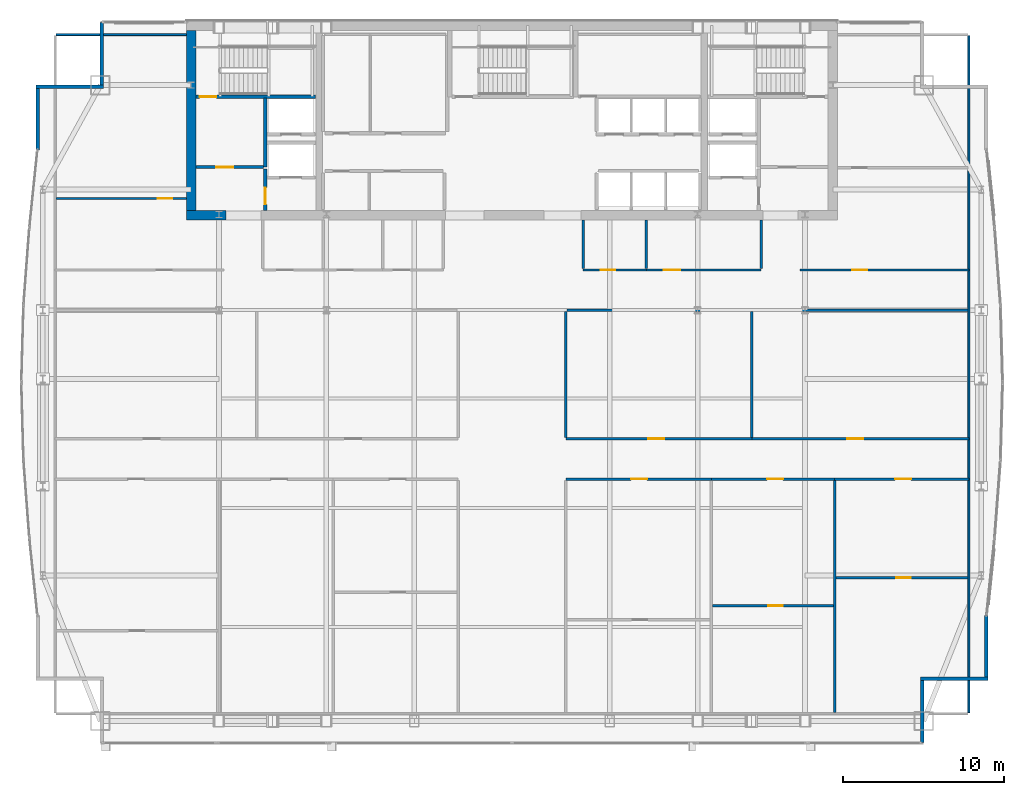
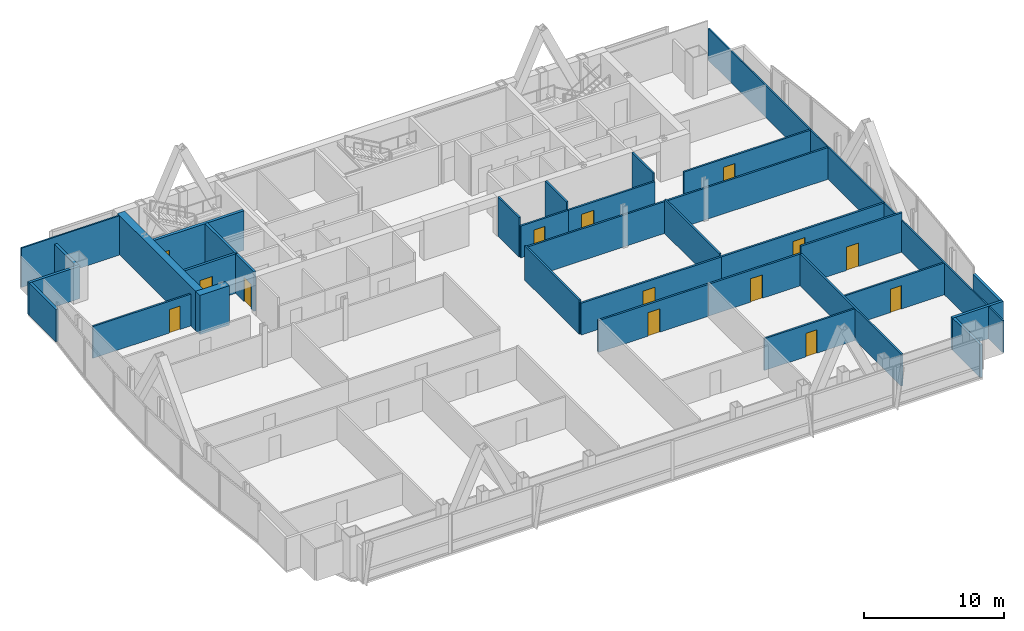
# One storey, part 28 of 32: 32 walls, 14 doors, 14 openings.
"""IFC4 building model written with IfcOpenShell, lengths in metres."""

from ifc_helpers import new_model, si_unit, direction, frame, frame_2d, origin, place, context, subcontext, project, spatial, rectangle, extrude, material, layer, layer_set, type_object, element, fill, save


model = new_model("IFC4")

# Units and contexts
model_context = context("Model", 3, precision=1e-05, world=origin(), true_north=direction((0.0, 1.0)))
body_context = subcontext(model_context, "Body", "Model", "MODEL_VIEW")
ifc_project = project(units=[si_unit("LENGTHUNIT", "METRE"), si_unit("AREAUNIT", "SQUARE_METRE"), si_unit("VOLUMEUNIT", "CUBIC_METRE"), si_unit("PLANEANGLEUNIT", "RADIAN"), si_unit("MASSUNIT", "GRAM", prefix="KILO")], contexts=[model_context])

# Site, building, storey
site_placement = place(None, origin())
site = spatial("IfcSite", under=ifc_project, at=site_placement, CompositionType="ELEMENT")
building_placement = place(site_placement, origin())
building = spatial("IfcBuilding", under=site, at=building_placement, Name="Khoronbel Lancet Exchange", CompositionType="ELEMENT")
storey_placement = place(building_placement, frame((0.0, 0.0, 231.800048828125)))
storey = spatial("IfcBuildingStorey", under=building, at=storey_placement, Name="L59", CompositionType="ELEMENT", Elevation=231.800048828125)

# Walls
ifc_material_1 = material(Name="Concrete C60/75", Category="concrete")
ifc_layer_1 = layer(ifc_material_1, 0.60009765625, Name="Concrete C60/75")
ifc_layer_set_1 = layer_set([ifc_layer_1], Name="Concrete C60/75")
wall_type_1 = type_object("IfcWallType", Name="WL-CW3", PredefinedType="SHEAR", material=ifc_layer_set_1)
wall_1_placement = place(storey_placement, frame((16.5, 41.89990234375, 0.0), z_axis=(0.0, 0.0, 1.0), x_axis=(0.0, 1.0, 0.0)))
element("IfcWall", 1, at=wall_1_placement, inside=storey, type_object=wall_type_1, Name="Level L59 rear core west shear wall", PredefinedType="SHEAR", context=body_context, shape_type="SweptSolid", body=[
    extrude(rectangle(XDim=11.2001953125, YDim=0.60009765625, at=frame_2d((5.60009765625, 0.0))), origin(), (0.0, 0.0, 1.0), 3.43994140625),
])
wall_2_placement = place(storey_placement, frame((18.64990234375, 41.60009765625, 0.0), z_axis=(0.0, 0.0, 1.0), x_axis=(-1.0, 0.0, 0.0)))
element("IfcWall", 2, at=wall_2_placement, inside=storey, type_object=wall_type_1, Name="Level L59 rear core south shear wall pier P1", PredefinedType="SHEAR", context=body_context, shape_type="SweptSolid", body=[
    extrude(rectangle(XDim=2.449951171875, YDim=0.60009765625, at=frame_2d((1.22509765625, 0.0))), origin(), (0.0, 0.0, 1.0), 3.43994140625),
])
ifc_material_2 = material(Name="Precast concrete C40/50", Category="concrete")
ifc_layer_2 = layer(ifc_material_2, 0.25, Name="Precast concrete C40/50")
ifc_layer_set_2 = layer_set([ifc_layer_2], Name="Precast concrete C40/50")
wall_type_2 = type_object("IfcWallType", Name="WL-EXT250", PredefinedType="SOLIDWALL", material=ifc_layer_set_2)
wall_3_placement = place(storey_placement, frame((6.93994140625, 45.67529296875, 0.0), z_axis=(0.0, 0.0, 1.0), x_axis=(0.0, 1.0, 0.0)))
element("IfcWall", 3, at=wall_3_placement, inside=storey, type_object=wall_type_2, Name="Level L59 notched-corner limestone pier 10", PredefinedType="SOLIDWALL", context=body_context, shape_type="SweptSolid", body=[
    extrude(rectangle(XDim=3.82470703125, YDim=0.219970703125, at=frame_2d((1.912353515625, 0.0))), origin(), (0.0, 0.0, 1.0), 2.829833984375),
])
wall_4_placement = place(storey_placement, frame((6.830078125, 49.610107421875, 0.0), z_axis=(0.0, 0.0, 1.0), x_axis=(1.0, 0.0, 0.0)))
element("IfcWall", 4, at=wall_4_placement, inside=storey, type_object=wall_type_2, Name="Level L59 notched-corner limestone pier 11", PredefinedType="SOLIDWALL", context=body_context, shape_type="SweptSolid", body=[
    extrude(rectangle(XDim=4.219970703125, YDim=0.219970703125, at=frame_2d((2.10986328125, 0.0))), origin(), (0.0, 0.0, 1.0), 2.829833984375),
])
wall_5_placement = place(storey_placement, frame((10.93994140625, 49.719970703125, 0.0), z_axis=(0.0, 0.0, 1.0), x_axis=(0.0, 1.0, 0.0)))
element("IfcWall", 5, at=wall_5_placement, inside=storey, type_object=wall_type_2, Name="Level L59 notched-corner limestone pier 12", PredefinedType="SOLIDWALL", context=body_context, shape_type="SweptSolid", body=[
    extrude(rectangle(XDim=3.909912109375, YDim=0.219970703125, at=frame_2d((1.955078125, 0.0))), origin(), (0.0, 0.0, 1.0), 2.829833984375),
])
wall_6_placement = place(storey_placement, frame((65.9599609375, 16.724609375, 0.0), z_axis=(0.0, 0.0, 1.0), x_axis=(0.0, -1.0, 0.0)))
element("IfcWall", 6, at=wall_6_placement, inside=storey, type_object=wall_type_2, Name="Level L59 notched-corner limestone pier 23", PredefinedType="SOLIDWALL", context=body_context, shape_type="SweptSolid", body=[
    extrude(rectangle(XDim=3.82470703125, YDim=0.219970703125, at=frame_2d((1.912353515625, 0.0))), origin(), (0.0, 0.0, 1.0), 2.829833984375),
])
wall_7_placement = place(storey_placement, frame((66.070068359375, 12.7900390625, 0.0), z_axis=(0.0, 0.0, 1.0), x_axis=(-1.0, 0.0, 0.0)))
element("IfcWall", 7, at=wall_7_placement, inside=storey, type_object=wall_type_2, Name="Level L59 notched-corner limestone pier 24", PredefinedType="SOLIDWALL", context=body_context, shape_type="SweptSolid", body=[
    extrude(rectangle(XDim=4.219970703125, YDim=0.219970703125, at=frame_2d((2.10986328125, 0.0))), origin(), (0.0, 0.0, 1.0), 2.829833984375),
])
wall_8_placement = place(storey_placement, frame((61.9599609375, 12.679931640625, 0.0), z_axis=(0.0, 0.0, 1.0), x_axis=(0.0, -1.0, 0.0)))
element("IfcWall", 8, at=wall_8_placement, inside=storey, type_object=wall_type_2, Name="Level L59 notched-corner limestone pier 25", PredefinedType="SOLIDWALL", context=body_context, shape_type="SweptSolid", body=[
    extrude(rectangle(XDim=3.909912109375, YDim=0.219970703125, at=frame_2d((1.955078125, 0.0))), origin(), (0.0, 0.0, 1.0), 2.829833984375),
])
ifc_material_3 = material(Name="Acoustic Metal-Stud & Mineral-Wool Gypsum Partition 120 mm", Category="gypsum")
ifc_layer_3 = layer(ifc_material_3, 0.1201171875, Name="Acoustic Metal-Stud & Mineral-Wool Gypsum Partition 120 mm")
ifc_layer_set_3 = layer_set([ifc_layer_3], Name="Acoustic Metal-Stud & Mineral-Wool Gypsum Partition 120 mm")
wall_type_3 = type_object("IfcWallType", Name="WL-PRT120", PredefinedType="PARTITIONING", material=ifc_layer_set_3)
for number, where, z_axis, x_axis, name in (
    (9, (40.8798828125, 38.280029296875, 0.0), (0.0, 0.0, 1.0), (0.0, 1.0, 0.0), "Level L59 interior partition PW-NP-0"),
    (10, (44.800048828125, 38.280029296875, 0.0), (0.0, 0.0, 1.0), (0.0, 1.0, 0.0), "Level L59 interior partition PW-NP-M"),
    (11, (51.949951171875, 38.280029296875, 0.0), (0.0, 0.0, 1.0), (0.0, 1.0, 0.0), "Level L59 interior partition PW-NP-1"),
):
    element("IfcWall", number, at=place(storey_placement, frame(where, z_axis=z_axis, x_axis=x_axis)), inside=storey, type_object=wall_type_3, Name=name, PredefinedType="PARTITIONING", context=body_context, shape_type="SweptSolid", body=[
        extrude(rectangle(XDim=3.02001953125, YDim=0.14990234375, at=frame_2d((1.510009765625, 0.0))), origin(), (0.0, 0.0, 1.0), 3.43994140625),
    ])

# Wall, opening, door
wall_9_placement = place(storey_placement, frame((8.094970703125, 42.64990234375, 0.0), z_axis=(0.0, 0.0, 1.0), x_axis=(1.0, 0.0, 0.0)))
wall_9 = element("IfcWall", 12, at=wall_9_placement, inside=storey, type_object=wall_type_3, Name="Level L59 interior partition PW-NW-H", PredefinedType="PARTITIONING", context=body_context, shape_type="SweptSolid", body=[
    extrude(rectangle(XDim=8.10498046875, YDim=0.14990234375, at=frame_2d((4.052490234375, 0.0))), origin(), (0.0, 0.0, 1.0), 2.780029296875),
])
opening_1_placement = place(wall_9_placement, frame((6.320068359375, 0.0, 0.0)))
opening_1 = element("IfcOpeningElement", 13, at=opening_1_placement, cuts=wall_9, Name="Opening D5", PredefinedType="OPENING", context=body_context, shape_type="SweptSolid", body=[
    extrude(rectangle(XDim=0.89990234375, YDim=2.050048828125, at=frame_2d((0.449951171875, 1.02490234375))), frame((0.0, 0.0849609375, 0.0), z_axis=(0.0, -1.0, 0.0), x_axis=(1.0, 0.0, 0.0)), (0.0, 0.0, 1.0), 0.169921875),
])
ifc_material_4 = material(Name="Acoustic Timber Pantry & Support Door", Category="wood")
door_type_1 = type_object("IfcDoorType", Name="DR-D5", OperationType="NOTDEFINED", PredefinedType="DOOR", material=ifc_material_4)
door_1_placement = place(opening_1_placement, origin())
door_1 = element("IfcDoor", 14, at=door_1_placement, inside=storey, type_object=door_type_1, Name="NW north room door L59-1", OperationType="SINGLE_SWING_RIGHT", OverallHeight=2.050048828125, OverallWidth=0.89990234375, PredefinedType="DOOR", context=body_context, shape_type="SweptSolid", body=[
    extrude(rectangle(XDim=0.89990234375, YDim=2.050048828125, at=frame_2d((0.449951171875, 1.02490234375))), frame((0.0, 0.02490234375, 0.0), z_axis=(0.0, -1.0, 0.0), x_axis=(1.0, 0.0, 0.0)), (0.0, 0.0, 1.0), 0.050048828125),
])
fill(opening_1, door_1)

wall_10_placement = place(storey_placement, frame((48.93310546875, 17.31591796875, 0.0), z_axis=(0.0, 0.0, 1.0), x_axis=(1.0, 0.0, 0.0)))
wall_10 = element("IfcWall", 15, at=wall_10_placement, inside=storey, type_object=wall_type_3, Name="Level L59 interior partition PW-Z3SE-H2", PredefinedType="PARTITIONING", context=body_context, shape_type="SweptSolid", body=[
    extrude(rectangle(XDim=7.500244140625, YDim=0.14990234375, at=frame_2d((3.75, 0.0))), origin(), (0.0, 0.0, 1.0), 2.780029296875),
])
opening_2_placement = place(wall_10_placement, frame((3.447021484375, 0.0, 0.0)))
opening_2 = element("IfcOpeningElement", 16, at=opening_2_placement, cuts=wall_10, Name="Opening D5", PredefinedType="OPENING", context=body_context, shape_type="SweptSolid", body=[
    extrude(rectangle(XDim=0.89990234375, YDim=2.050048828125, at=frame_2d((0.449951171875, 1.02490234375))), frame((0.0, 0.0849609375, 0.0), z_axis=(0.0, -1.0, 0.0), x_axis=(1.0, 0.0, 0.0)), (0.0, 0.0, 1.0), 0.169921875),
])
door_2_placement = place(opening_2_placement, origin())
door_2 = element("IfcDoor", 17, at=door_2_placement, inside=storey, type_object=door_type_1, Name="Z3SE inner door 2 L59-1", OperationType="SINGLE_SWING_RIGHT", OverallHeight=2.050048828125, OverallWidth=0.89990234375, PredefinedType="DOOR", context=body_context, shape_type="SweptSolid", body=[
    extrude(rectangle(XDim=0.89990234375, YDim=2.050048828125, at=frame_2d((0.449951171875, 1.02490234375))), frame((0.0, 0.02490234375, 0.0), z_axis=(0.0, -1.0, 0.0), x_axis=(1.0, 0.0, 0.0)), (0.0, 0.0, 1.0), 0.050048828125),
])
fill(opening_2, door_2)

wall_11_placement = place(storey_placement, frame((56.59326171875, 19.068115234375, 0.0), z_axis=(0.0, 0.0, 1.0), x_axis=(1.0, 0.0, 0.0)))
wall_11 = element("IfcWall", 18, at=wall_11_placement, inside=storey, type_object=wall_type_3, Name="Level L59 interior partition PW-Z3SE-H3", PredefinedType="PARTITIONING", context=body_context, shape_type="SweptSolid", body=[
    extrude(rectangle(XDim=8.211669921875, YDim=0.14990234375, at=frame_2d((4.10595703125, 0.0))), origin(), (0.0, 0.0, 1.0), 2.780029296875),
])
opening_3_placement = place(wall_11_placement, frame((3.760498046875, 0.0, 0.0)))
opening_3 = element("IfcOpeningElement", 19, at=opening_3_placement, cuts=wall_11, Name="Opening D5", PredefinedType="OPENING", context=body_context, shape_type="SweptSolid", body=[
    extrude(rectangle(XDim=0.89990234375, YDim=2.050048828125, at=frame_2d((0.449951171875, 1.02490234375))), frame((0.0, 0.0849609375, 0.0), z_axis=(0.0, -1.0, 0.0), x_axis=(1.0, 0.0, 0.0)), (0.0, 0.0, 1.0), 0.169921875),
])
door_3_placement = place(opening_3_placement, origin())
door_3 = element("IfcDoor", 20, at=door_3_placement, inside=storey, type_object=door_type_1, Name="Z3SE inner door 3 L59-1", OperationType="SINGLE_SWING_RIGHT", OverallHeight=2.050048828125, OverallWidth=0.89990234375, PredefinedType="DOOR", context=body_context, shape_type="SweptSolid", body=[
    extrude(rectangle(XDim=0.89990234375, YDim=2.050048828125, at=frame_2d((0.449951171875, 1.02490234375))), frame((0.0, 0.02490234375, 0.0), z_axis=(0.0, -1.0, 0.0), x_axis=(1.0, 0.0, 0.0)), (0.0, 0.0, 1.0), 0.050048828125),
])
fill(opening_3, door_3)

# Walls
wall_12_placement = place(storey_placement, frame((64.8701171875, 10.6650390625, 0.0), z_axis=(0.0, 0.0, 1.0), x_axis=(0.0, 1.0, 0.0)))
element("IfcWall", 21, at=wall_12_placement, inside=storey, type_object=wall_type_3, Name="Level L59 interior partition PW-LIN-E", PredefinedType="PARTITIONING", context=body_context, shape_type="SweptSolid", body=[
    extrude(rectangle(XDim=42.10986328125, YDim=0.1201171875, at=frame_2d((21.054931640625, 0.0))), origin(), (0.0, 0.0, 1.0), 2.780029296875),
])
wall_13_placement = place(storey_placement, frame((8.094970703125, 52.840087890625, 0.0), z_axis=(0.0, 0.0, 1.0), x_axis=(1.0, 0.0, 0.0)))
element("IfcWall", 22, at=wall_13_placement, inside=storey, type_object=wall_type_3, Name="Level L59 interior partition PW-LIN-NW", PredefinedType="PARTITIONING", context=body_context, shape_type="SweptSolid", body=[
    extrude(rectangle(XDim=8.10498046875, YDim=0.1201171875, at=frame_2d((4.052490234375, 0.0))), origin(), (0.0, 0.0, 1.0), 3.43994140625),
])

# Wall, opening, door
ifc_material_5 = material(Name="Fire-Rated Twin-Stud Acoustic Gypsum Partition 150 mm", Category="gypsum")
ifc_layer_4 = layer(ifc_material_5, 0.14990234375, Name="Fire-Rated Twin-Stud Acoustic Gypsum Partition 150 mm")
ifc_layer_set_4 = layer_set([ifc_layer_4], Name="Fire-Rated Twin-Stud Acoustic Gypsum Partition 150 mm")
wall_type_4 = type_object("IfcWallType", Name="WL-PRT150C", PredefinedType="PARTITIONING", material=ifc_layer_set_4)
wall_14_placement = place(storey_placement, frame((40.8798828125, 38.199951171875, 0.0), z_axis=(0.0, 0.0, 1.0), x_axis=(1.0, 0.0, 0.0)))
wall_14 = element("IfcWall", 23, at=wall_14_placement, inside=storey, type_object=wall_type_4, Name="Level L59 interior partition PW-NP-S1", PredefinedType="PARTITIONING", context=body_context, shape_type="SweptSolid", body=[
    extrude(rectangle(XDim=3.920166015625, YDim=0.14990234375, at=frame_2d((1.9599609375, 0.0))), origin(), (0.0, 0.0, 1.0), 2.780029296875),
])
opening_4_placement = place(wall_14_placement, frame((1.10009765625, 0.0, 0.0)))
opening_4 = element("IfcOpeningElement", 24, at=opening_4_placement, cuts=wall_14, Name="Opening D5", PredefinedType="OPENING", context=body_context, shape_type="SweptSolid", body=[
    extrude(rectangle(XDim=0.89990234375, YDim=2.050048828125, at=frame_2d((0.449951171875, 1.02490234375))), frame((0.0, 0.0849609375, 0.0), z_axis=(0.0, -1.0, 0.0), x_axis=(1.0, 0.0, 0.0)), (0.0, 0.0, 1.0), 0.169921875),
])
door_4_placement = place(opening_4_placement, origin())
door_4 = element("IfcDoor", 25, at=door_4_placement, inside=storey, type_object=door_type_1, Name="Floor refreshment pantry door L59-1", OperationType="SINGLE_SWING_RIGHT", OverallHeight=2.050048828125, OverallWidth=0.89990234375, PredefinedType="DOOR", context=body_context, shape_type="SweptSolid", body=[
    extrude(rectangle(XDim=0.89990234375, YDim=2.050048828125, at=frame_2d((0.449951171875, 1.02490234375))), frame((0.0, 0.02490234375, 0.0), z_axis=(0.0, -1.0, 0.0), x_axis=(1.0, 0.0, 0.0)), (0.0, 0.0, 1.0), 0.050048828125),
])
fill(opening_4, door_4)

wall_15_placement = place(storey_placement, frame((44.800048828125, 38.199951171875, 0.0), z_axis=(0.0, 0.0, 1.0), x_axis=(1.0, 0.0, 0.0)))
wall_15 = element("IfcWall", 26, at=wall_15_placement, inside=storey, type_object=wall_type_4, Name="Level L59 interior partition PW-NP-S2", PredefinedType="PARTITIONING", context=body_context, shape_type="SweptSolid", body=[
    extrude(rectangle(XDim=7.14990234375, YDim=0.14990234375, at=frame_2d((3.574951171875, 0.0))), origin(), (0.0, 0.0, 1.0), 2.780029296875),
])
opening_5_placement = place(wall_15_placement, frame((1.10009765625, 0.0, 0.0)))
opening_5 = element("IfcOpeningElement", 27, at=opening_5_placement, cuts=wall_15, Name="Opening D2", PredefinedType="OPENING", context=body_context, shape_type="SweptSolid", body=[
    extrude(rectangle(XDim=1.0, YDim=2.050048828125, at=frame_2d((0.5, 1.02490234375))), frame((0.0, 0.0849609375, 0.0), z_axis=(0.0, -1.0, 0.0), x_axis=(1.0, 0.0, 0.0)), (0.0, 0.0, 1.0), 0.169921875),
])
ifc_material_6 = material(Name="Acoustic Veneered Timber & Bronze Frame Door", Category="wood")
door_type_2 = type_object("IfcDoorType", Name="DR-D2", OperationType="NOTDEFINED", PredefinedType="DOOR", material=ifc_material_6)
door_5_placement = place(opening_5_placement, origin())
door_5 = element("IfcDoor", 28, at=door_5_placement, inside=storey, type_object=door_type_2, Name="Floor store door L59-1", OperationType="SINGLE_SWING_LEFT", OverallHeight=2.050048828125, OverallWidth=1.0, PredefinedType="DOOR", context=body_context, shape_type="SweptSolid", body=[
    extrude(rectangle(XDim=1.0, YDim=2.050048828125, at=frame_2d((0.5, 1.02490234375))), frame((0.0, 0.02490234375, 0.0), z_axis=(0.0, -1.0, 0.0), x_axis=(1.0, 0.0, 0.0)), (0.0, 0.0, 1.0), 0.050048828125),
])
fill(opening_5, door_5)

wall_16_placement = place(storey_placement, frame((54.35009765625, 38.199951171875, 0.0), z_axis=(0.0, 0.0, 1.0), x_axis=(1.0, 0.0, 0.0)))
wall_16 = element("IfcWall", 29, at=wall_16_placement, inside=storey, type_object=wall_type_4, Name="Level L59 interior partition PW-NE-S", PredefinedType="PARTITIONING", context=body_context, shape_type="SweptSolid", body=[
    extrude(rectangle(XDim=10.52001953125, YDim=0.14990234375, at=frame_2d((5.260009765625, 0.0))), origin(), (0.0, 0.0, 1.0), 2.780029296875),
])
opening_6_placement = place(wall_16_placement, frame((3.25, 0.0, 0.0)))
opening_6 = element("IfcOpeningElement", 30, at=opening_6_placement, cuts=wall_16, Name="Opening D1", PredefinedType="OPENING", context=body_context, shape_type="SweptSolid", body=[
    extrude(rectangle(XDim=0.949951171875, YDim=2.050048828125, at=frame_2d((0.47509765625, 1.02490234375))), frame((0.0, 0.0849609375, 0.0), z_axis=(0.0, -1.0, 0.0), x_axis=(1.0, 0.0, 0.0)), (0.0, 0.0, 1.0), 0.169921875),
])
door_type_3 = type_object("IfcDoorType", Name="DR-D1", OperationType="NOTDEFINED", PredefinedType="DOOR", material=ifc_material_6)
door_6_placement = place(opening_6_placement, origin())
door_6 = element("IfcDoor", 31, at=door_6_placement, inside=storey, type_object=door_type_3, Name="NE corner room door L59-1", OperationType="SINGLE_SWING_LEFT", OverallHeight=2.050048828125, OverallWidth=0.949951171875, PredefinedType="DOOR", context=body_context, shape_type="SweptSolid", body=[
    extrude(rectangle(XDim=0.949951171875, YDim=2.050048828125, at=frame_2d((0.47509765625, 1.02490234375))), frame((0.0, 0.02490234375, 0.0), z_axis=(0.0, -1.0, 0.0), x_axis=(1.0, 0.0, 0.0)), (0.0, 0.0, 1.0), 0.050048828125),
])
fill(opening_6, door_6)

# Walls
wall_17_placement = place(storey_placement, frame((39.800048828125, 27.784912109375, 0.0), z_axis=(0.0, 0.0, 1.0), x_axis=(0.0, 1.0, 0.0)))
element("IfcWall", 32, at=wall_17_placement, inside=storey, type_object=wall_type_4, Name="Level L59 interior partition PW-Z3-CE2", PredefinedType="PARTITIONING", context=body_context, shape_type="SweptSolid", body=[
    extrude(rectangle(XDim=7.835205078125, YDim=0.14990234375, at=frame_2d((3.91748046875, 0.0))), origin(), (0.0, 0.0, 1.0), 2.97998046875),
])
wall_18_placement = place(storey_placement, frame((39.8798828125, 35.699951171875, 0.0), z_axis=(0.0, 0.0, 1.0), x_axis=(1.0, 0.0, 0.0)))
element("IfcWall", 33, at=wall_18_placement, inside=storey, type_object=wall_type_4, Name="Level L59 interior partition PW-Z3-EN", PredefinedType="PARTITIONING", context=body_context, shape_type="SweptSolid", body=[
    extrude(rectangle(XDim=24.925048828125, YDim=0.14990234375, at=frame_2d((12.46240234375, 0.0))), origin(), (0.0, 0.0, 1.0), 2.780029296875),
])
wall_19_placement = place(storey_placement, frame((56.51318359375, 10.6650390625, 0.0), z_axis=(0.0, 0.0, 1.0), x_axis=(0.0, 1.0, 0.0)))
element("IfcWall", 34, at=wall_19_placement, inside=storey, type_object=wall_type_4, Name="Level L59 interior partition PW-Z3SE-V2", PredefinedType="PARTITIONING", context=body_context, shape_type="SweptSolid", body=[
    extrude(rectangle(XDim=14.449951171875, YDim=0.14990234375, at=frame_2d((7.22509765625, 0.0))), origin(), (0.0, 0.0, 1.0), 2.780029296875),
])
wall_20_placement = place(storey_placement, frame((51.370849609375, 27.784912109375, 0.0), z_axis=(0.0, 0.0, 1.0), x_axis=(0.0, 1.0, 0.0)))
element("IfcWall", 35, at=wall_20_placement, inside=storey, type_object=wall_type_4, Name="Level L59 interior partition PW-Z3NE-V1", PredefinedType="PARTITIONING", context=body_context, shape_type="SweptSolid", body=[
    extrude(rectangle(XDim=7.835205078125, YDim=0.14990234375, at=frame_2d((3.91748046875, 0.0))), origin(), (0.0, 0.0, 1.0), 2.97998046875),
])

# Wall, opening, door
ifc_material_7 = material(Name="Fire-Rated Twin-Stud Acoustic Gypsum Partition 160 mm", Category="gypsum")
ifc_layer_5 = layer(ifc_material_7, 0.159912109375, Name="Fire-Rated Twin-Stud Acoustic Gypsum Partition 160 mm")
ifc_layer_set_5 = layer_set([ifc_layer_5], Name="Fire-Rated Twin-Stud Acoustic Gypsum Partition 160 mm")
wall_type_5 = type_object("IfcWallType", Name="WL-PRT160C", PredefinedType="PARTITIONING", material=ifc_layer_set_5)
wall_21_placement = place(storey_placement, frame((39.800048828125, 25.199951171875, 0.0), z_axis=(0.0, 0.0, 1.0), x_axis=(1.0, 0.0, 0.0)))
wall_21 = element("IfcWall", 36, at=wall_21_placement, inside=storey, type_object=wall_type_5, Name="Level L59 interior partition PW-Z3SE-COR1", PredefinedType="PARTITIONING", context=body_context, shape_type="SweptSolid", body=[
    extrude(rectangle(XDim=9.052978515625, YDim=0.159912109375, at=frame_2d((4.5263671875, 0.0))), origin(), (0.0, 0.0, 1.0), 2.780029296875),
])
opening_7_placement = place(wall_21_placement, frame((4.05224609375, 0.0, 0.0)))
opening_7 = element("IfcOpeningElement", 37, at=opening_7_placement, cuts=wall_21, Name="Opening D2", PredefinedType="OPENING", context=body_context, shape_type="SweptSolid", body=[
    extrude(rectangle(XDim=1.0, YDim=2.050048828125, at=frame_2d((0.5, 1.02490234375))), frame((0.0, 0.08984375, 0.0), z_axis=(0.0, -1.0, 0.0), x_axis=(1.0, 0.0, 0.0)), (0.0, 0.0, 1.0), 0.179931640625),
])
door_7_placement = place(opening_7_placement, origin())
door_7 = element("IfcDoor", 38, at=door_7_placement, inside=storey, type_object=door_type_2, Name="Z3SE bay 1 door L59-1", OperationType="SINGLE_SWING_LEFT", OverallHeight=2.050048828125, OverallWidth=1.0, PredefinedType="DOOR", context=body_context, shape_type="SweptSolid", body=[
    extrude(rectangle(XDim=1.0, YDim=2.050048828125, at=frame_2d((0.5, 1.02490234375))), frame((0.0, 0.02490234375, 0.0), z_axis=(0.0, -1.0, 0.0), x_axis=(1.0, 0.0, 0.0)), (0.0, 0.0, 1.0), 0.050048828125),
])
fill(opening_7, door_7)

wall_22_placement = place(storey_placement, frame((48.85302734375, 25.199951171875, 0.0), z_axis=(0.0, 0.0, 1.0), x_axis=(1.0, 0.0, 0.0)))
wall_22 = element("IfcWall", 39, at=wall_22_placement, inside=storey, type_object=wall_type_5, Name="Level L59 interior partition PW-Z3SE-COR2", PredefinedType="PARTITIONING", context=body_context, shape_type="SweptSolid", body=[
    extrude(rectangle(XDim=7.66015625, YDim=0.159912109375, at=frame_2d((3.830078125, 0.0))), origin(), (0.0, 0.0, 1.0), 2.780029296875),
])
opening_8_placement = place(wall_22_placement, frame((3.46728515625, 0.0, 0.0)))
opening_8 = element("IfcOpeningElement", 40, at=opening_8_placement, cuts=wall_22, Name="Opening D2", PredefinedType="OPENING", context=body_context, shape_type="SweptSolid", body=[
    extrude(rectangle(XDim=1.0, YDim=2.050048828125, at=frame_2d((0.5, 1.02490234375))), frame((0.0, 0.08984375, 0.0), z_axis=(0.0, -1.0, 0.0), x_axis=(1.0, 0.0, 0.0)), (0.0, 0.0, 1.0), 0.179931640625),
])
door_8_placement = place(opening_8_placement, origin())
door_8 = element("IfcDoor", 41, at=door_8_placement, inside=storey, type_object=door_type_2, Name="Z3SE bay 2 door L59-1", OperationType="SINGLE_SWING_LEFT", OverallHeight=2.050048828125, OverallWidth=1.0, PredefinedType="DOOR", context=body_context, shape_type="SweptSolid", body=[
    extrude(rectangle(XDim=1.0, YDim=2.050048828125, at=frame_2d((0.5, 1.02490234375))), frame((0.0, 0.02490234375, 0.0), z_axis=(0.0, -1.0, 0.0), x_axis=(1.0, 0.0, 0.0)), (0.0, 0.0, 1.0), 0.050048828125),
])
fill(opening_8, door_8)

wall_23_placement = place(storey_placement, frame((56.51318359375, 25.199951171875, 0.0), z_axis=(0.0, 0.0, 1.0), x_axis=(1.0, 0.0, 0.0)))
wall_23 = element("IfcWall", 42, at=wall_23_placement, inside=storey, type_object=wall_type_5, Name="Level L59 interior partition PW-Z3SE-COR3", PredefinedType="PARTITIONING", context=body_context, shape_type="SweptSolid", body=[
    extrude(rectangle(XDim=8.35693359375, YDim=0.159912109375, at=frame_2d((4.178466796875, 0.0))), origin(), (0.0, 0.0, 1.0), 3.43994140625),
])
opening_9_placement = place(wall_23_placement, frame((3.759765625, 0.0, 0.0)))
opening_9 = element("IfcOpeningElement", 43, at=opening_9_placement, cuts=wall_23, Name="Opening D2", PredefinedType="OPENING", context=body_context, shape_type="SweptSolid", body=[
    extrude(rectangle(XDim=1.0, YDim=2.050048828125, at=frame_2d((0.5, 1.02490234375))), frame((0.0, 0.08984375, 0.0), z_axis=(0.0, -1.0, 0.0), x_axis=(1.0, 0.0, 0.0)), (0.0, 0.0, 1.0), 0.179931640625),
])
door_9_placement = place(opening_9_placement, origin())
door_9 = element("IfcDoor", 44, at=door_9_placement, inside=storey, type_object=door_type_2, Name="Z3SE bay 3 door L59-1", OperationType="SINGLE_SWING_LEFT", OverallHeight=2.050048828125, OverallWidth=1.0, PredefinedType="DOOR", context=body_context, shape_type="SweptSolid", body=[
    extrude(rectangle(XDim=1.0, YDim=2.050048828125, at=frame_2d((0.5, 1.02490234375))), frame((0.0, 0.02490234375, 0.0), z_axis=(0.0, -1.0, 0.0), x_axis=(1.0, 0.0, 0.0)), (0.0, 0.0, 1.0), 0.050048828125),
])
fill(opening_9, door_9)

wall_24_placement = place(storey_placement, frame((39.800048828125, 27.699951171875, 0.0), z_axis=(0.0, 0.0, 1.0), x_axis=(1.0, 0.0, 0.0)))
wall_24 = element("IfcWall", 45, at=wall_24_placement, inside=storey, type_object=wall_type_5, Name="Level L59 interior partition PW-Z3NE-COR1", PredefinedType="PARTITIONING", context=body_context, shape_type="SweptSolid", body=[
    extrude(rectangle(XDim=11.57080078125, YDim=0.159912109375, at=frame_2d((5.785400390625, 0.0))), origin(), (0.0, 0.0, 1.0), 2.780029296875),
])
opening_10_placement = place(wall_24_placement, frame((5.109619140625, 0.0, 0.0)))
opening_10 = element("IfcOpeningElement", 46, at=opening_10_placement, cuts=wall_24, Name="Opening D2", PredefinedType="OPENING", context=body_context, shape_type="SweptSolid", body=[
    extrude(rectangle(XDim=1.0, YDim=2.050048828125, at=frame_2d((0.5, 1.02490234375))), frame((0.0, 0.08984375, 0.0), z_axis=(0.0, -1.0, 0.0), x_axis=(1.0, 0.0, 0.0)), (0.0, 0.0, 1.0), 0.179931640625),
])
door_10_placement = place(opening_10_placement, origin())
door_10 = element("IfcDoor", 47, at=door_10_placement, inside=storey, type_object=door_type_2, Name="Z3NE bay 1 door L59-1", OperationType="SINGLE_SWING_LEFT", OverallHeight=2.050048828125, OverallWidth=1.0, PredefinedType="DOOR", context=body_context, shape_type="SweptSolid", body=[
    extrude(rectangle(XDim=1.0, YDim=2.050048828125, at=frame_2d((0.5, 1.02490234375))), frame((0.0, 0.02490234375, 0.0), z_axis=(0.0, -1.0, 0.0), x_axis=(1.0, 0.0, 0.0)), (0.0, 0.0, 1.0), 0.050048828125),
])
fill(opening_10, door_10)

wall_25_placement = place(storey_placement, frame((51.370849609375, 27.699951171875, 0.0), z_axis=(0.0, 0.0, 1.0), x_axis=(1.0, 0.0, 0.0)))
wall_25 = element("IfcWall", 48, at=wall_25_placement, inside=storey, type_object=wall_type_5, Name="Level L59 interior partition PW-Z3NE-COR2", PredefinedType="PARTITIONING", context=body_context, shape_type="SweptSolid", body=[
    extrude(rectangle(XDim=13.499267578125, YDim=0.159912109375, at=frame_2d((6.74951171875, 0.0))), origin(), (0.0, 0.0, 1.0), 2.780029296875),
])
opening_11_placement = place(wall_25_placement, frame((5.919677734375, 0.0, 0.0)))
opening_11 = element("IfcOpeningElement", 49, at=opening_11_placement, cuts=wall_25, Name="Opening D2", PredefinedType="OPENING", context=body_context, shape_type="SweptSolid", body=[
    extrude(rectangle(XDim=1.0, YDim=2.050048828125, at=frame_2d((0.5, 1.02490234375))), frame((0.0, 0.08984375, 0.0), z_axis=(0.0, -1.0, 0.0), x_axis=(1.0, 0.0, 0.0)), (0.0, 0.0, 1.0), 0.179931640625),
])
door_11_placement = place(opening_11_placement, origin())
door_11 = element("IfcDoor", 50, at=door_11_placement, inside=storey, type_object=door_type_2, Name="Z3NE bay 2 door L59-1", OperationType="SINGLE_SWING_RIGHT", OverallHeight=2.050048828125, OverallWidth=1.0, PredefinedType="DOOR", context=body_context, shape_type="SweptSolid", body=[
    extrude(rectangle(XDim=1.0, YDim=2.050048828125, at=frame_2d((0.5, 1.02490234375))), frame((0.0, 0.02490234375, 0.0), z_axis=(0.0, -1.0, 0.0), x_axis=(1.0, 0.0, 0.0)), (0.0, 0.0, 1.0), 0.050048828125),
])
fill(opening_11, door_11)

# Wall
ifc_material_8 = material(Name="Autoclaved Aerated Concrete Blockwork 200 mm", Category="masonry")
ifc_layer_6 = layer(ifc_material_8, 0.199951171875, Name="Autoclaved Aerated Concrete Blockwork 200 mm")
ifc_layer_set_6 = layer_set([ifc_layer_6], Name="Autoclaved Aerated Concrete Blockwork 200 mm")
wall_type_6 = type_object("IfcWallType", Name="WL-PRT200", PredefinedType="PARTITIONING", material=ifc_layer_set_6)
wall_26_placement = place(storey_placement, frame((21.10009765625, 44.60009765625, 0.0), z_axis=(0.0, 0.0, 1.0), x_axis=(0.0, 1.0, 0.0)))
element("IfcWall", 51, at=wall_26_placement, inside=storey, type_object=wall_type_6, Name="Level L59 interior partition CW-FFLW-E", PredefinedType="PARTITIONING", context=body_context, shape_type="SweptSolid", body=[
    extrude(rectangle(XDim=4.2998046875, YDim=0.199951171875, at=frame_2d((2.14990234375, 0.0))), origin(), (0.0, 0.0, 1.0), 3.43994140625),
])

# Wall, opening, door
wall_27_placement = place(storey_placement, frame((16.800048828125, 44.60009765625, 0.0), z_axis=(0.0, 0.0, 1.0), x_axis=(1.0, 0.0, 0.0)))
wall_27 = element("IfcWall", 52, at=wall_27_placement, inside=storey, type_object=wall_type_6, Name="Level L59 interior partition CW-FFLW-S", PredefinedType="PARTITIONING", context=body_context, shape_type="SweptSolid", body=[
    extrude(rectangle(XDim=4.199951171875, YDim=0.199951171875, at=frame_2d((2.10009765625, 0.0))), origin(), (0.0, 0.0, 1.0), 3.43994140625),
])
opening_12_placement = place(wall_27_placement, frame((1.25, 0.0, 0.0)))
opening_12 = element("IfcOpeningElement", 53, at=opening_12_placement, cuts=wall_27, Name="Opening FD1", PredefinedType="OPENING", context=body_context, shape_type="SweptSolid", body=[
    extrude(rectangle(XDim=1.050048828125, YDim=2.14990234375, at=frame_2d((0.52490234375, 1.074951171875))), frame((0.0, 0.10986328125, 0.0), z_axis=(0.0, -1.0, 0.0), x_axis=(1.0, 0.0, 0.0)), (0.0, 0.0, 1.0), 0.219970703125),
])
ifc_material_9 = material(Name="Fire-Rated Painted Steel Door Assembly", Category="steel")
door_type_4 = type_object("IfcDoorType", Name="DR-FD1", OperationType="NOTDEFINED", PredefinedType="DOOR", material=ifc_material_9)
door_12_placement = place(opening_12_placement, origin())
door_12 = element("IfcDoor", 54, at=door_12_placement, inside=storey, type_object=door_type_4, Name="West firefighting lobby FD90S door L59-1", OperationType="SINGLE_SWING_RIGHT", OverallHeight=2.14990234375, OverallWidth=1.050048828125, PredefinedType="DOOR", context=body_context, shape_type="SweptSolid", body=[
    extrude(rectangle(XDim=1.050048828125, YDim=2.14990234375, at=frame_2d((0.52490234375, 1.074951171875))), frame((0.0, 0.02490234375, 0.0), z_axis=(0.0, -1.0, 0.0), x_axis=(1.0, 0.0, 0.0)), (0.0, 0.0, 1.0), 0.050048828125),
])
fill(opening_12, door_12)

wall_28_placement = place(storey_placement, frame((21.10009765625, 41.89990234375, 0.0), z_axis=(0.0, 0.0, 1.0), x_axis=(0.0, 1.0, 0.0)))
wall_28 = element("IfcWall", 55, at=wall_28_placement, inside=storey, type_object=wall_type_6, Name="Level L59 interior partition CW-SVLW-W", PredefinedType="PARTITIONING", context=body_context, shape_type="SweptSolid", body=[
    extrude(rectangle(XDim=2.59521484375, YDim=0.199951171875, at=frame_2d((1.297607421875, 0.0))), origin(), (0.0, 0.0, 1.0), 3.43994140625),
])
opening_13_placement = place(wall_28_placement, frame((0.3798828125, 0.0, 0.0)))
opening_13 = element("IfcOpeningElement", 56, at=opening_13_placement, cuts=wall_28, Name="Opening FD1", PredefinedType="OPENING", context=body_context, shape_type="SweptSolid", body=[
    extrude(rectangle(XDim=1.050048828125, YDim=2.14990234375, at=frame_2d((0.52490234375, 1.074951171875))), frame((0.0, 0.10986328125, 0.0), z_axis=(0.0, -1.0, 0.0), x_axis=(1.0, 0.0, 0.0)), (0.0, 0.0, 1.0), 0.219970703125),
])
door_13_placement = place(opening_13_placement, origin())
door_13 = element("IfcDoor", 57, at=door_13_placement, inside=storey, type_object=door_type_4, Name="West service lift lobby door L59-1", OperationType="SINGLE_SWING_LEFT", OverallHeight=2.14990234375, OverallWidth=1.050048828125, PredefinedType="DOOR", context=body_context, shape_type="SweptSolid", body=[
    extrude(rectangle(XDim=1.050048828125, YDim=2.14990234375, at=frame_2d((0.52490234375, 1.074951171875))), frame((0.0, 0.02490234375, 0.0), z_axis=(0.0, -1.0, 0.0), x_axis=(1.0, 0.0, 0.0)), (0.0, 0.0, 1.0), 0.050048828125),
])
fill(opening_13, door_13)

ifc_layer_7 = layer(ifc_material_1, 0.260009765625, Name="Concrete C60/75")
ifc_layer_set_7 = layer_set([ifc_layer_7], Name="Concrete C60/75")
wall_type_7 = type_object("IfcWallType", Name="WL-SW3", PredefinedType="SHEAR", material=ifc_layer_set_7)
wall_29_placement = place(storey_placement, frame((16.800048828125, 48.97998046875, 0.0), z_axis=(0.0, 0.0, 1.0), x_axis=(1.0, 0.0, 0.0)))
wall_29 = element("IfcWall", 58, at=wall_29_placement, inside=storey, type_object=wall_type_7, Name="Level L59 west stairwell structural south wall", PredefinedType="SHEAR", context=body_context, shape_type="SweptSolid", body=[
    extrude(rectangle(XDim=7.419921875, YDim=0.239990234375, at=frame_2d((3.7099609375, 0.0))), origin(), (0.0, 0.0, 1.0), 3.43994140625),
])
opening_14_placement = place(wall_29_placement, frame((0.219970703125, 0.0, 0.0)))
opening_14 = element("IfcOpeningElement", 59, at=opening_14_placement, cuts=wall_29, Name="Opening SD1", PredefinedType="OPENING", context=body_context, shape_type="SweptSolid", body=[
    extrude(rectangle(XDim=1.050048828125, YDim=2.14990234375, at=frame_2d((0.52490234375, 1.074951171875))), frame((0.0, 0.1298828125, 0.0), z_axis=(0.0, -1.0, 0.0), x_axis=(1.0, 0.0, 0.0)), (0.0, 0.0, 1.0), 0.260009765625),
])
ifc_material_10 = material(Name="Fire-Rated Steel Stairwell Door Assembly", Category="steel")
door_type_5 = type_object("IfcDoorType", Name="DR-SD1", OperationType="NOTDEFINED", PredefinedType="DOOR", material=ifc_material_10)
door_14_placement = place(opening_14_placement, origin())
door_14 = element("IfcDoor", 60, at=door_14_placement, inside=storey, type_object=door_type_5, Name="Protected exit stair ST1 door L59", OperationType="SINGLE_SWING_LEFT", OverallHeight=2.14990234375, OverallWidth=1.050048828125, PredefinedType="DOOR", context=body_context, shape_type="SweptSolid", body=[
    extrude(rectangle(XDim=1.050048828125, YDim=2.14990234375, at=frame_2d((0.52490234375, 1.074951171875))), frame((0.0, 0.02490234375, 0.0), z_axis=(0.0, -1.0, 0.0), x_axis=(1.0, 0.0, 0.0)), (0.0, 0.0, 1.0), 0.050048828125),
])
fill(opening_14, door_14)

save(model, "model.ifc")
